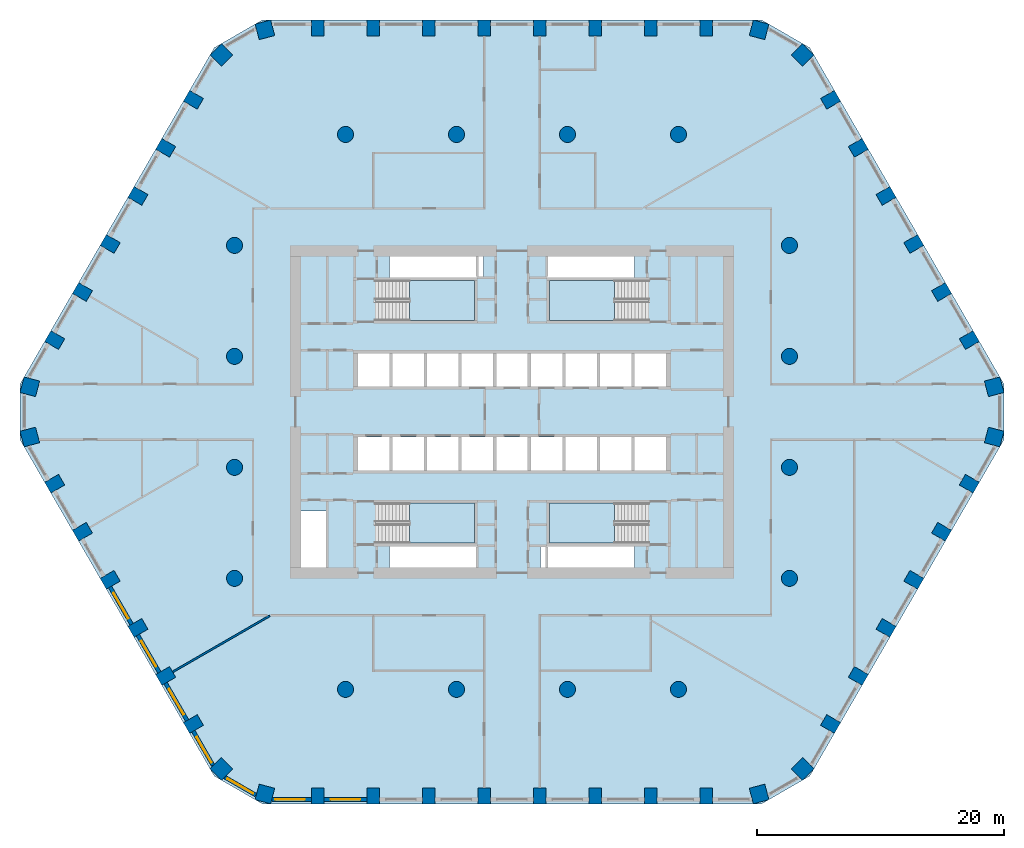
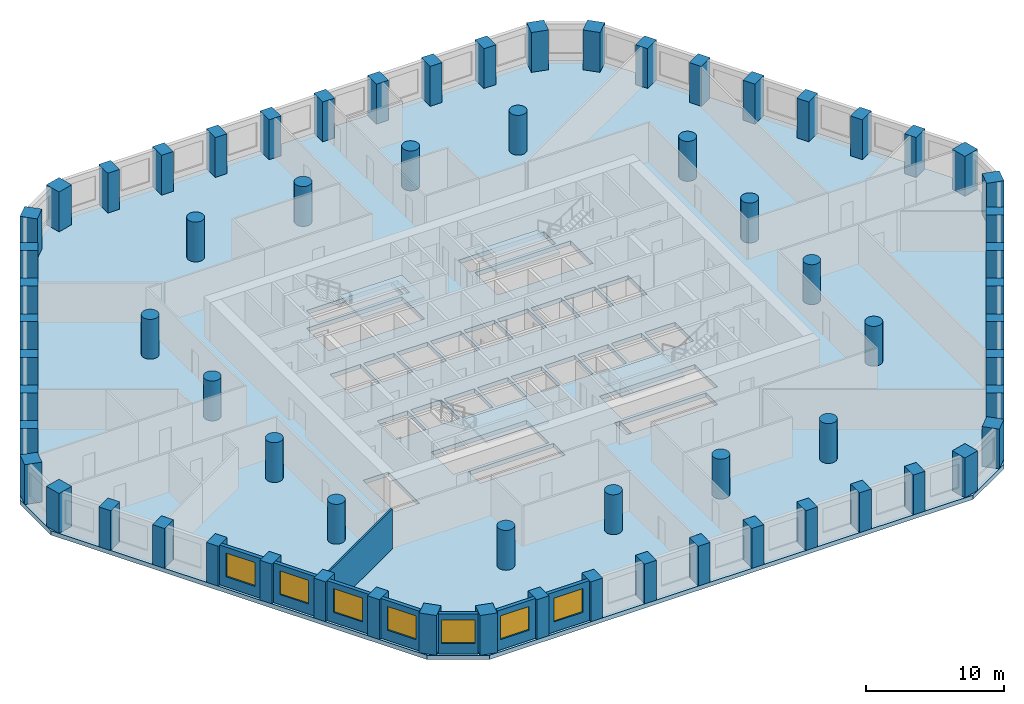
# One storey, part 1 of 10: 68 columns, 8 walls, 7 windows, 5 slabs, 7 openings, 4 elements without a shape of their own.
"""IFC4 building model written with IfcOpenShell, lengths in metres."""

from ifc_helpers import new_model, si_unit, direction, frame, frame_2d, origin, origin_2d, place, context, subcontext, project, spatial, polyline, rectangle, circle, outline, extrude, material, layer, layer_set, material_profile, profile_set, type_object, element, fill, aggregate, save


model = new_model("IFC4")

# Units and contexts
model_context = context("Model", 3, precision=1e-05, world=origin(), true_north=direction((0.0, 1.0)))
body_context = subcontext(model_context, "Body", "Model", "MODEL_VIEW")
ifc_project = project(units=[si_unit("LENGTHUNIT", "METRE"), si_unit("AREAUNIT", "SQUARE_METRE"), si_unit("VOLUMEUNIT", "CUBIC_METRE"), si_unit("PLANEANGLEUNIT", "RADIAN"), si_unit("MASSUNIT", "GRAM", prefix="KILO")], contexts=[model_context])

# Site, building, storey
site_placement = place(None, origin())
site = spatial("IfcSite", under=ifc_project, at=site_placement, CompositionType="ELEMENT")
building_placement = place(site_placement, origin())
building = spatial("IfcBuilding", under=site, at=building_placement, Name="Dhurran Vertical Campus", CompositionType="ELEMENT")
storey_placement = place(building_placement, frame((0.0, 0.0, 112.5)))
storey = spatial("IfcBuildingStorey", under=building, at=storey_placement, Name="L27", CompositionType="ELEMENT", Elevation=112.5)

# Columns
ifc_material_1 = material(Name="Concrete C60/75", Category="concrete")
ifc_material_profile_1 = material_profile(ifc_material_1, rectangle(XDim=1.0, YDim=1.300048828125, at=origin_2d()), Name="RC 1000x1300")
ifc_profile_set_1 = profile_set([ifc_material_profile_1], Name="Concrete C60/75")
column_type_1 = type_object("IfcColumnType", Name="FR COL RC 1000x1300 C60/75", PredefinedType="COLUMN", material=ifc_profile_set_1)
for number, where, z_axis, x_axis, name in (
    (1, (-15.75, -31.1298828125, 0.0), (0.0, 0.0, 1.0), (1.0, 0.0, 0.0), "Perimeter pier PP2.01"),
    (2, (-11.25, -31.1298828125, 0.0), (0.0, 0.0, 1.0), (1.0, 0.0, 0.0), "Perimeter pier PP2.02"),
    (3, (-6.75, -31.1298828125, 0.0), (0.0, 0.0, 1.0), (1.0, 0.0, 0.0), "Perimeter pier PP2.03"),
    (4, (-2.25, -31.1298828125, 0.0), (0.0, 0.0, 1.0), (1.0, 0.0, 0.0), "Perimeter pier PP2.04"),
    (5, (2.25, -31.1298828125, 0.0), (0.0, 0.0, 1.0), (1.0, 0.0, 0.0), "Perimeter pier PP2.05"),
    (6, (6.75, -31.1298828125, 0.0), (0.0, 0.0, 1.0), (1.0, 0.0, 0.0), "Perimeter pier PP2.06"),
    (7, (11.25, -31.1298828125, 0.0), (0.0, 0.0, 1.0), (1.0, 0.0, 0.0), "Perimeter pier PP2.07"),
    (8, (15.75, -31.1298828125, 0.0), (0.0, 0.0, 1.0), (1.0, 0.0, 0.0), "Perimeter pier PP2.08"),
    (9, (25.834228515625, -25.3076171875, 0.0), (0.0, 0.0, 1.0), (0.5, 0.866025403784, 0.0), "Perimeter pier PP2.11"),
    (10, (28.084228515625, -21.41064453125, 0.0), (0.0, 0.0, 1.0), (0.5, 0.866025403784, 0.0), "Perimeter pier PP2.12"),
    (11, (30.334228515625, -17.513427734375, 0.0), (0.0, 0.0, 1.0), (0.5, 0.866025403784, 0.0), "Perimeter pier PP2.13"),
    (12, (32.584228515625, -13.6162109375, 0.0), (0.0, 0.0, 1.0), (0.5, 0.866025403784, 0.0), "Perimeter pier PP2.14"),
    (13, (34.834228515625, -9.71923828125, 0.0), (0.0, 0.0, 1.0), (0.5, 0.866025403784, 0.0), "Perimeter pier PP2.15"),
    (14, (37.084228515625, -5.822021484375, 0.0), (0.0, 0.0, 1.0), (0.5, 0.866025403784, 0.0), "Perimeter pier PP2.16"),
    (15, (37.084228515625, 5.822021484375, 0.0), (0.0, 0.0, 1.0), (-0.5, 0.866025403784, 0.0), "Perimeter pier PP2.19"),
    (16, (34.834228515625, 9.71923828125, 0.0), (0.0, 0.0, 1.0), (-0.5, 0.866025403784, 0.0), "Perimeter pier PP2.20"),
    (17, (32.584228515625, 13.6162109375, 0.0), (0.0, 0.0, 1.0), (-0.5, 0.866025403784, 0.0), "Perimeter pier PP2.21"),
    (18, (30.334228515625, 17.513427734375, 0.0), (0.0, 0.0, 1.0), (-0.5, 0.866025403784, 0.0), "Perimeter pier PP2.22"),
    (19, (28.084228515625, 21.41064453125, 0.0), (0.0, 0.0, 1.0), (-0.5, 0.866025403784, 0.0), "Perimeter pier PP2.23"),
    (20, (25.834228515625, 25.3076171875, 0.0), (0.0, 0.0, 1.0), (-0.5, 0.866025403784, 0.0), "Perimeter pier PP2.24"),
    (21, (15.75, 31.1298828125, 0.0), (0.0, 0.0, 1.0), (-1.0, 0.0, 0.0), "Perimeter pier PP2.27"),
    (22, (11.25, 31.1298828125, 0.0), (0.0, 0.0, 1.0), (-1.0, 0.0, 0.0), "Perimeter pier PP2.28"),
    (23, (6.75, 31.1298828125, 0.0), (0.0, 0.0, 1.0), (-1.0, 0.0, 0.0), "Perimeter pier PP2.29"),
    (24, (2.25, 31.1298828125, 0.0), (0.0, 0.0, 1.0), (-1.0, 0.0, 0.0), "Perimeter pier PP2.30"),
    (25, (-2.25, 31.1298828125, 0.0), (0.0, 0.0, 1.0), (-1.0, 0.0, 0.0), "Perimeter pier PP2.31"),
    (26, (-6.75, 31.1298828125, 0.0), (0.0, 0.0, 1.0), (-1.0, 0.0, 0.0), "Perimeter pier PP2.32"),
    (27, (-11.25, 31.1298828125, 0.0), (0.0, 0.0, 1.0), (-1.0, 0.0, 0.0), "Perimeter pier PP2.33"),
    (28, (-15.75, 31.1298828125, 0.0), (0.0, 0.0, 1.0), (-1.0, 0.0, 0.0), "Perimeter pier PP2.34"),
    (29, (-25.834228515625, 25.3076171875, 0.0), (0.0, 0.0, 1.0), (-0.5, -0.866025403784, 0.0), "Perimeter pier PP2.37"),
    (30, (-28.084228515625, 21.41064453125, 0.0), (0.0, 0.0, 1.0), (-0.5, -0.866025403784, 0.0), "Perimeter pier PP2.38"),
    (31, (-30.334228515625, 17.513427734375, 0.0), (0.0, 0.0, 1.0), (-0.5, -0.866025403784, 0.0), "Perimeter pier PP2.39"),
    (32, (-32.584228515625, 13.6162109375, 0.0), (0.0, 0.0, 1.0), (-0.5, -0.866025403784, 0.0), "Perimeter pier PP2.40"),
    (33, (-34.834228515625, 9.71923828125, 0.0), (0.0, 0.0, 1.0), (-0.5, -0.866025403784, 0.0), "Perimeter pier PP2.41"),
    (34, (-37.084228515625, 5.822021484375, 0.0), (0.0, 0.0, 1.0), (-0.5, -0.866025403784, 0.0), "Perimeter pier PP2.42"),
    (35, (-37.084228515625, -5.822021484375, 0.0), (0.0, 0.0, 1.0), (0.5, -0.866025403784, 0.0), "Perimeter pier PP2.45"),
    (36, (-34.834228515625, -9.71923828125, 0.0), (0.0, 0.0, 1.0), (0.5, -0.866025403784, 0.0), "Perimeter pier PP2.46"),
    (37, (-32.584228515625, -13.6162109375, 0.0), (0.0, 0.0, 1.0), (0.5, -0.866025403784, 0.0), "Perimeter pier PP2.47"),
    (38, (-30.334228515625, -17.513427734375, 0.0), (0.0, 0.0, 1.0), (0.5, -0.866025403784, 0.0), "Perimeter pier PP2.48"),
    (39, (-28.084228515625, -21.41064453125, 0.0), (0.0, 0.0, 1.0), (0.5, -0.866025403784, 0.0), "Perimeter pier PP2.49"),
    (40, (-25.834228515625, -25.3076171875, 0.0), (0.0, 0.0, 1.0), (0.5, -0.866025403784, 0.0), "Perimeter pier PP2.50"),
):
    element("IfcColumn", number, at=place(storey_placement, frame(where, z_axis=z_axis, x_axis=x_axis)), inside=storey, type_object=column_type_1, Name=name, PredefinedType="COLUMN", context=body_context, shape_type="SweptSolid", body=[
        extrude(rectangle(XDim=1.0, YDim=1.300048828125, at=origin_2d()), origin(), (0.0, 0.0, 1.0), 3.52490234375),
    ])
ifc_material_2 = material(Name="Concrete C60/75", Category="concrete")
ifc_material_profile_2 = material_profile(ifc_material_2, rectangle(XDim=1.300048828125, YDim=1.300048828125, at=origin_2d()), Name="RC 1300x1300")
ifc_profile_set_2 = profile_set([ifc_material_profile_2], Name="Concrete C60/75")
column_type_2 = type_object("IfcColumnType", Name="FR COL RC 1300x1300 C60/75", PredefinedType="COLUMN", material=ifc_profile_set_2)
for number, where, z_axis, x_axis, name in (
    (41, (-20.03662109375, -30.983642578125, 0.0), (0.0, 0.0, 1.0), (0.965925826289, -0.258819045103, 0.0), "Perimeter pier PP2.00"),
    (42, (20.03662109375, -30.983642578125, 0.0), (0.0, 0.0, 1.0), (0.965925826289, 0.258819045103, 0.0), "Perimeter pier PP2.09"),
    (43, (23.564208984375, -28.947021484375, 0.0), (0.0, 0.0, 1.0), (0.707106781187, 0.707106781187, 0.0), "Perimeter pier PP2.10"),
    (44, (39.10107421875, -2.03662109375, 0.0), (0.0, 0.0, 1.0), (0.258819045103, 0.965925826289, 0.0), "Perimeter pier PP2.17"),
    (45, (39.10107421875, 2.03662109375, 0.0), (0.0, 0.0, 1.0), (-0.258819045103, 0.965925826289, 0.0), "Perimeter pier PP2.18"),
    (46, (23.564208984375, 28.947021484375, 0.0), (0.0, 0.0, 1.0), (-0.707106781187, 0.707106781187, 0.0), "Perimeter pier PP2.25"),
    (47, (20.03662109375, 30.983642578125, 0.0), (0.0, 0.0, 1.0), (-0.965925826289, 0.258819045103, 0.0), "Perimeter pier PP2.26"),
    (48, (-20.03662109375, 30.983642578125, 0.0), (0.0, 0.0, 1.0), (-0.965925826289, -0.258819045103, 0.0), "Perimeter pier PP2.35"),
    (49, (-23.564208984375, 28.947021484375, 0.0), (0.0, 0.0, 1.0), (-0.707106781187, -0.707106781187, 0.0), "Perimeter pier PP2.36"),
    (50, (-39.10107421875, 2.03662109375, 0.0), (0.0, 0.0, 1.0), (-0.258819045103, -0.965925826289, 0.0), "Perimeter pier PP2.43"),
    (51, (-39.10107421875, -2.03662109375, 0.0), (0.0, 0.0, 1.0), (0.258819045103, -0.965925826289, 0.0), "Perimeter pier PP2.44"),
    (52, (-23.564208984375, -28.947021484375, 0.0), (0.0, 0.0, 1.0), (0.707106781187, -0.707106781187, 0.0), "Perimeter pier PP2.51"),
):
    element("IfcColumn", number, at=place(storey_placement, frame(where, z_axis=z_axis, x_axis=x_axis)), inside=storey, type_object=column_type_2, Name=name, PredefinedType="COLUMN", context=body_context, shape_type="SweptSolid", body=[
        extrude(rectangle(XDim=1.300048828125, YDim=1.300048828125, at=origin_2d()), origin(), (0.0, 0.0, 1.0), 3.52490234375),
    ])
ifc_material_3 = material(Name="Concrete C60/75", Category="concrete")
ifc_material_profile_3 = material_profile(ifc_material_3, circle(Radius=0.64990234375, at=origin_2d()), Name="RCC D1300")
ifc_profile_set_3 = profile_set([ifc_material_profile_3], Name="Concrete C60/75")
column_type_3 = type_object("IfcColumnType", Name="FR COL RCC D1300 C60/75", PredefinedType="COLUMN", material=ifc_profile_set_3)
for number, where, z_axis, x_axis, name in (
    (53, (-22.5, -13.5, 0.0), (0.0, 0.0, 1.0), (1.0, 0.0, 0.0), "Inner column IC2-D4"),
    (54, (-22.5, -4.5, 0.0), (0.0, 0.0, 1.0), (1.0, 0.0, 0.0), "Inner column IC2-D5"),
    (55, (-22.5, 4.5, 0.0), (0.0, 0.0, 1.0), (1.0, 0.0, 0.0), "Inner column IC2-D6"),
    (56, (-22.5, 13.5, 0.0), (0.0, 0.0, 1.0), (1.0, 0.0, 0.0), "Inner column IC2-D7"),
    (57, (-13.5, -22.5, 0.0), (0.0, 0.0, 1.0), (1.0, 0.0, 0.0), "Inner column IC2-E3"),
    (58, (-13.5, 22.5, 0.0), (0.0, 0.0, 1.0), (1.0, 0.0, 0.0), "Inner column IC2-E8"),
    (59, (-4.5, -22.5, 0.0), (0.0, 0.0, 1.0), (1.0, 0.0, 0.0), "Inner column IC2-F3"),
    (60, (-4.5, 22.5, 0.0), (0.0, 0.0, 1.0), (1.0, 0.0, 0.0), "Inner column IC2-F8"),
    (61, (4.5, -22.5, 0.0), (0.0, 0.0, 1.0), (1.0, 0.0, 0.0), "Inner column IC2-G3"),
    (62, (4.5, 22.5, 0.0), (0.0, 0.0, 1.0), (1.0, 0.0, 0.0), "Inner column IC2-G8"),
    (63, (13.5, -22.5, 0.0), (0.0, 0.0, 1.0), (1.0, 0.0, 0.0), "Inner column IC2-H3"),
    (64, (13.5, 22.5, 0.0), (0.0, 0.0, 1.0), (1.0, 0.0, 0.0), "Inner column IC2-H8"),
    (65, (22.5, -13.5, 0.0), (0.0, 0.0, 1.0), (1.0, 0.0, 0.0), "Inner column IC2-J4"),
    (66, (22.5, -4.5, 0.0), (0.0, 0.0, 1.0), (1.0, 0.0, 0.0), "Inner column IC2-J5"),
    (67, (22.5, 4.5, 0.0), (0.0, 0.0, 1.0), (1.0, 0.0, 0.0), "Inner column IC2-J6"),
    (68, (22.5, 13.5, 0.0), (0.0, 0.0, 1.0), (1.0, 0.0, 0.0), "Inner column IC2-J7"),
):
    element("IfcColumn", number, at=place(storey_placement, frame(where, z_axis=z_axis, x_axis=x_axis)), inside=storey, type_object=column_type_3, Name=name, PredefinedType="COLUMN", context=body_context, shape_type="SweptSolid", body=[
        extrude(circle(Radius=0.64990234375, at=origin_2d()), origin(), (0.0, 0.0, 1.0), 3.52490234375),
    ])

# Slab
ifc_material_4 = material(Name="Concrete C40/50", Category="concrete")
ifc_layer_1 = layer(ifc_material_4, 0.375)
ifc_layer_set_1 = layer_set([ifc_layer_1], Name="Concrete C40/50")
slab_type_1 = type_object("IfcSlabType", Name="FR POST-TENSIONED FLAT SLAB 375", PredefinedType="FLOOR", material=ifc_layer_set_1)
slab_1_placement = place(storey_placement, frame((0.0, 0.0, -0.375)))
element("IfcSlab", 69, at=slab_1_placement, inside=storey, type_object=slab_type_1, Name="Floor slab L27", PredefinedType="FLOOR", context=body_context, shape_type="SweptSolid", body=[
    extrude(outline(polyline([(-20.25, -31.77978515625), (20.25, -31.77978515625), (24.147216796875, -29.52978515625), (39.897216796875, -2.25), (39.897216796875, 2.25), (24.147216796875, 29.52978515625), (20.25, 31.77978515625), (-20.25, 31.77978515625), (-24.147216796875, 29.52978515625), (-39.897216796875, 2.25), (-39.897216796875, -2.25), (-24.147216796875, -29.52978515625), (-20.25, -31.77978515625)]), holes=[polyline([(-12.47509765625, 2.050048828125), (-9.925048828125, 2.050048828125), (-9.925048828125, 4.75), (-12.47509765625, 4.75), (-12.47509765625, 2.050048828125)]), polyline([(-9.675048828125, 2.050048828125), (-7.125, 2.050048828125), (-7.125, 4.75), (-9.675048828125, 4.75), (-9.675048828125, 2.050048828125)]), polyline([(-6.875, 2.050048828125), (-4.324951171875, 2.050048828125), (-4.324951171875, 4.75), (-6.875, 4.75), (-6.875, 2.050048828125)]), polyline([(-1.27490234375, 2.050048828125), (1.27490234375, 2.050048828125), (1.27490234375, 4.75), (-1.27490234375, 4.75), (-1.27490234375, 2.050048828125)]), polyline([(9.925048828125, 2.050048828125), (12.47509765625, 2.050048828125), (12.47509765625, 4.75), (9.925048828125, 4.75), (9.925048828125, 2.050048828125)]), polyline([(-1.27490234375, -4.75), (1.27490234375, -4.75), (1.27490234375, -2.050048828125), (-1.27490234375, -2.050048828125), (-1.27490234375, -4.75)]), polyline([(1.52490234375, -4.75), (4.074951171875, -4.75), (4.074951171875, -2.050048828125), (1.52490234375, -2.050048828125), (1.52490234375, -4.75)]), polyline([(4.324951171875, -4.75), (6.875, -4.75), (6.875, -2.050048828125), (4.324951171875, -2.050048828125), (4.324951171875, -4.75)]), polyline([(7.125, -4.75), (9.675048828125, -4.75), (9.675048828125, -2.050048828125), (7.125, -2.050048828125), (7.125, -4.75)]), polyline([(9.925048828125, -4.75), (12.47509765625, -4.75), (12.47509765625, -2.050048828125), (9.925048828125, -2.050048828125), (9.925048828125, -4.75)]), polyline([(-4.074951171875, 2.050048828125), (-1.52490234375, 2.050048828125), (-1.52490234375, 4.75), (-4.074951171875, 4.75), (-4.074951171875, 2.050048828125)]), polyline([(1.52490234375, 2.050048828125), (4.074951171875, 2.050048828125), (4.074951171875, 4.75), (1.52490234375, 4.75), (1.52490234375, 2.050048828125)]), polyline([(4.324951171875, 2.050048828125), (6.875, 2.050048828125), (6.875, 4.75), (4.324951171875, 4.75), (4.324951171875, 2.050048828125)]), polyline([(7.125, 2.050048828125), (9.675048828125, 2.050048828125), (9.675048828125, 4.75), (7.125, 4.75), (7.125, 2.050048828125)]), polyline([(-12.47509765625, -4.75), (-9.925048828125, -4.75), (-9.925048828125, -2.050048828125), (-12.47509765625, -2.050048828125), (-12.47509765625, -4.75)]), polyline([(-9.675048828125, -4.75), (-7.125, -4.75), (-7.125, -2.050048828125), (-9.675048828125, -2.050048828125), (-9.675048828125, -4.75)]), polyline([(-6.875, -4.75), (-4.324951171875, -4.75), (-4.324951171875, -2.050048828125), (-6.875, -2.050048828125), (-6.875, -4.75)]), polyline([(-4.074951171875, -4.75), (-1.52490234375, -4.75), (-1.52490234375, -2.050048828125), (-4.074951171875, -2.050048828125), (-4.074951171875, -4.75)]), polyline([(-11.050048828125, 7.39990234375), (-3.050048828125, 7.39990234375), (-3.050048828125, 10.64990234375), (-11.050048828125, 10.64990234375), (-11.050048828125, 7.39990234375)]), polyline([(3.050048828125, 7.39990234375), (11.050048828125, 7.39990234375), (11.050048828125, 10.64990234375), (3.050048828125, 10.64990234375), (3.050048828125, 7.39990234375)]), polyline([(-11.050048828125, -10.64990234375), (-3.050048828125, -10.64990234375), (-3.050048828125, -7.39990234375), (-11.050048828125, -7.39990234375), (-11.050048828125, -10.64990234375)]), polyline([(3.050048828125, -10.64990234375), (11.050048828125, -10.64990234375), (11.050048828125, -7.39990234375), (3.050048828125, -7.39990234375), (3.050048828125, -10.64990234375)]), polyline([(-9.949951171875, 10.89990234375), (-9.949951171875, 12.60009765625), (-2.800048828125, 12.60009765625), (-2.800048828125, 10.89990234375), (-9.949951171875, 10.89990234375)]), polyline([(9.949951171875, 12.60009765625), (9.949951171875, 10.89990234375), (2.800048828125, 10.89990234375), (2.800048828125, 12.60009765625), (9.949951171875, 12.60009765625)]), polyline([(-9.949951171875, -12.60009765625), (-9.949951171875, -10.89990234375), (-2.800048828125, -10.89990234375), (-2.800048828125, -12.60009765625), (-9.949951171875, -12.60009765625)]), polyline([(9.949951171875, -10.89990234375), (9.949951171875, -12.60009765625), (2.800048828125, -12.60009765625), (2.800048828125, -10.89990234375), (9.949951171875, -10.89990234375)]), polyline([(-17.10009765625, -8.050048828125), (-15.0, -8.050048828125), (-15.0, -12.60009765625), (-17.10009765625, -12.60009765625), (-17.10009765625, -8.050048828125)]), polyline([(-2.300048828125, 12.60009765625), (-2.300048828125, 10.867431640625), (-2.75, 10.867431640625), (-2.75, 12.60009765625), (-2.300048828125, 12.60009765625)]), polyline([(2.300048828125, -12.60009765625), (2.300048828125, -10.867431640625), (2.75, -10.867431640625), (2.75, -12.60009765625), (2.300048828125, -12.60009765625)])]), origin(), (0.0, 0.0, 1.0), 0.375),
])

# Stair, slab
ifc_material_5 = material(Name="Concrete C40/50", Category="concrete")
stair_type = type_object("IfcStairType", Name="co-ST-CORE", PredefinedType="HALF_TURN_STAIR", material=ifc_material_5)
stair_1_placement = place(storey_placement, origin())
stair_1 = element("IfcStair", 70, at=stair_1_placement, inside=storey, type_object=stair_type, Name="L27 Protected exit stair ST1", PredefinedType="HALF_TURN_STAIR")
ifc_material_6 = material(Name="Concrete C40/50", Category="concrete")
ifc_layer_2 = layer(ifc_material_6, 0.199951171875)
ifc_layer_set_2 = layer_set([ifc_layer_2], Name="Concrete C40/50")
slab_type_2 = type_object("IfcSlabType", Name="co-SL-LANDING", PredefinedType="LANDING", material=ifc_layer_set_2)
slab_2_placement = place(storey_placement, frame((0.0, 0.0, 1.75)))
slab_2 = element("IfcSlab", 71, at=slab_2_placement, type_object=slab_type_2, Name="ST1 landing 1", PredefinedType="LANDING", context=body_context, shape_type="SweptSolid", body=[
    extrude(outline(polyline([(-8.300048828125, 7.39990234375), (-3.050048828125, 7.39990234375), (-3.050048828125, 10.64990234375), (-8.300048828125, 10.64990234375), (-8.300048828125, 7.39990234375)])), origin(), (0.0, 0.0, 1.0), 0.199951171875),
])
aggregate(stair_1, [slab_2])

stair_2_placement = place(storey_placement, origin())
stair_2 = element("IfcStair", 72, at=stair_2_placement, inside=storey, type_object=stair_type, Name="L27 Protected exit stair ST2", PredefinedType="HALF_TURN_STAIR")
slab_3_placement = place(storey_placement, frame((0.0, 0.0, 1.75)))
slab_3 = element("IfcSlab", 73, at=slab_3_placement, type_object=slab_type_2, Name="ST2 landing 1", PredefinedType="LANDING", context=body_context, shape_type="SweptSolid", body=[
    extrude(outline(polyline([(8.300048828125, 10.64990234375), (3.050048828125, 10.64990234375), (3.050048828125, 7.39990234375), (8.300048828125, 7.39990234375), (8.300048828125, 10.64990234375)])), origin(), (0.0, 0.0, 1.0), 0.199951171875),
])
aggregate(stair_2, [slab_3])

stair_3_placement = place(storey_placement, origin())
stair_3 = element("IfcStair", 74, at=stair_3_placement, inside=storey, type_object=stair_type, Name="L27 Protected exit stair ST3", PredefinedType="HALF_TURN_STAIR")
slab_4_placement = place(storey_placement, frame((0.0, 0.0, 1.75)))
slab_4 = element("IfcSlab", 75, at=slab_4_placement, type_object=slab_type_2, Name="ST3 landing 1", PredefinedType="LANDING", context=body_context, shape_type="SweptSolid", body=[
    extrude(outline(polyline([(-8.300048828125, -10.64990234375), (-3.050048828125, -10.64990234375), (-3.050048828125, -7.39990234375), (-8.300048828125, -7.39990234375), (-8.300048828125, -10.64990234375)])), origin(), (0.0, 0.0, 1.0), 0.199951171875),
])
aggregate(stair_3, [slab_4])

stair_4_placement = place(storey_placement, origin())
stair_4 = element("IfcStair", 76, at=stair_4_placement, inside=storey, type_object=stair_type, Name="L27 Protected exit stair ST4", PredefinedType="HALF_TURN_STAIR")
slab_5_placement = place(storey_placement, frame((0.0, 0.0, 1.75)))
slab_5 = element("IfcSlab", 77, at=slab_5_placement, type_object=slab_type_2, Name="ST4 landing 1", PredefinedType="LANDING", context=body_context, shape_type="SweptSolid", body=[
    extrude(outline(polyline([(8.300048828125, -7.39990234375), (3.050048828125, -7.39990234375), (3.050048828125, -10.64990234375), (8.300048828125, -10.64990234375), (8.300048828125, -7.39990234375)])), origin(), (0.0, 0.0, 1.0), 0.199951171875),
])
aggregate(stair_4, [slab_5])

# Wall, opening, window
ifc_material_7 = material(Name="Precast concrete C50/60", Category="concrete")
ifc_layer_3 = layer(ifc_material_7, 0.300048828125)
ifc_layer_set_3 = layer_set([ifc_layer_3], Name="Precast concrete C50/60")
wall_type_1 = type_object("IfcWallType", Name="Precast spandrel wall 300", PredefinedType="SOLIDWALL", material=ifc_layer_set_3)
wall_1_placement = place(storey_placement, frame((-19.44287109375, -31.4296875, 0.0), z_axis=(0.0, 0.0, 1.0), x_axis=(1.0, 0.0, 0.0)))
wall_1 = element("IfcWall", 78, at=wall_1_placement, inside=storey, type_object=wall_type_1, Name="EW1 L27.00", PredefinedType="SOLIDWALL", context=body_context, shape_type="SweptSolid", body=[
    extrude(rectangle(XDim=3.1923828125, YDim=0.300048828125, at=frame_2d((1.59619140625, 0.0))), origin(), (0.0, 0.0, 1.0), 3.52490234375),
])
opening_1_placement = place(wall_1_placement, frame((0.242919921875, 0.0, 0.89990234375)))
opening_1 = element("IfcOpeningElement", 79, at=opening_1_placement, cuts=wall_1, Name="Opening WT1", PredefinedType="OPENING", context=body_context, shape_type="SweptSolid", body=[
    extrude(rectangle(XDim=2.39990234375, YDim=2.10009765625, at=frame_2d((1.199951171875, 1.050048828125))), frame((0.0, 0.159912109375, 0.0), z_axis=(0.0, -1.0, 0.0), x_axis=(1.0, 0.0, 0.0)), (0.0, 0.0, 1.0), 0.320068359375),
])
ifc_material_8 = material(Name="Aluminium frame with solar-control glass", Category="aluminium")
window_type = type_object("IfcWindowType", Name="Punched window 2400 x 2100", PartitioningType="SINGLE_PANEL", PredefinedType="WINDOW", material=ifc_material_8)
window_1_placement = place(opening_1_placement, origin())
window_1 = element("IfcWindow", 80, at=window_1_placement, inside=storey, type_object=window_type, Name="WT1 L27.00", OverallHeight=2.10009765625, OverallWidth=2.39990234375, PartitioningType="SINGLE_PANEL", PredefinedType="WINDOW", context=body_context, shape_type="SweptSolid", body=[
    extrude(rectangle(XDim=2.39990234375, YDim=2.10009765625, at=frame_2d((1.199951171875, 1.050048828125))), frame((0.0, 0.030029296875, 0.0), z_axis=(0.0, -1.0, 0.0), x_axis=(1.0, 0.0, 0.0)), (0.0, 0.0, 1.0), 0.06005859375),
])
fill(opening_1, window_1)

wall_2_placement = place(storey_placement, frame((-15.24951171875, -31.4296875, 0.0), z_axis=(0.0, 0.0, 1.0), x_axis=(1.0, 0.0, 0.0)))
wall_2 = element("IfcWall", 81, at=wall_2_placement, inside=storey, type_object=wall_type_1, Name="EW1 L27.01", PredefinedType="SOLIDWALL", context=body_context, shape_type="SweptSolid", body=[
    extrude(rectangle(XDim=3.4990234375, YDim=0.300048828125, at=frame_2d((1.74951171875, 0.0))), origin(), (0.0, 0.0, 1.0), 3.52490234375),
])
opening_2_placement = place(wall_2_placement, frame((0.549560546875, 0.0, 0.89990234375)))
opening_2 = element("IfcOpeningElement", 82, at=opening_2_placement, cuts=wall_2, Name="Opening WT1", PredefinedType="OPENING", context=body_context, shape_type="SweptSolid", body=[
    extrude(rectangle(XDim=2.39990234375, YDim=2.10009765625, at=frame_2d((1.199951171875, 1.050048828125))), frame((0.0, 0.159912109375, 0.0), z_axis=(0.0, -1.0, 0.0), x_axis=(1.0, 0.0, 0.0)), (0.0, 0.0, 1.0), 0.320068359375),
])
window_2_placement = place(opening_2_placement, origin())
window_2 = element("IfcWindow", 83, at=window_2_placement, inside=storey, type_object=window_type, Name="WT1 L27.01", OverallHeight=2.10009765625, OverallWidth=2.39990234375, PartitioningType="SINGLE_PANEL", PredefinedType="WINDOW", context=body_context, shape_type="SweptSolid", body=[
    extrude(rectangle(XDim=2.39990234375, YDim=2.10009765625, at=frame_2d((1.199951171875, 1.050048828125))), frame((0.0, 0.030029296875, 0.0), z_axis=(0.0, -1.0, 0.0), x_axis=(1.0, 0.0, 0.0)), (0.0, 0.0, 1.0), 0.06005859375),
])
fill(opening_2, window_2)

wall_3_placement = place(storey_placement, frame((-32.59375, -14.19970703125, 0.0), z_axis=(0.0, 0.0, 1.0), x_axis=(0.499996256241, -0.866027565234, 0.0)))
wall_3 = element("IfcWall", 84, at=wall_3_placement, inside=storey, type_object=wall_type_1, Name="EW1 L27.47", PredefinedType="SOLIDWALL", context=body_context, shape_type="SweptSolid", body=[
    extrude(rectangle(XDim=3.4990234375, YDim=0.300048828125, at=frame_2d((1.74951171875, 0.0))), origin(), (0.0, 0.0, 1.0), 3.52490234375),
])
opening_3_placement = place(wall_3_placement, frame((0.549560546875, 0.0, 0.89990234375)))
opening_3 = element("IfcOpeningElement", 85, at=opening_3_placement, cuts=wall_3, Name="Opening WT1", PredefinedType="OPENING", context=body_context, shape_type="SweptSolid", body=[
    extrude(rectangle(XDim=2.39990234375, YDim=2.10009765625, at=frame_2d((1.199951171875, 1.050048828125))), frame((0.0, 0.159912109375, 0.0), z_axis=(0.0, -1.0, 0.0), x_axis=(1.0, 0.0, 0.0)), (0.0, 0.0, 1.0), 0.320068359375),
])
window_3_placement = place(opening_3_placement, origin())
window_3 = element("IfcWindow", 86, at=window_3_placement, inside=storey, type_object=window_type, Name="WT1 L27.47", OverallHeight=2.10009765625, OverallWidth=2.39990234375, PartitioningType="SINGLE_PANEL", PredefinedType="WINDOW", context=body_context, shape_type="SweptSolid", body=[
    extrude(rectangle(XDim=2.39990234375, YDim=2.10009765625, at=frame_2d((1.199951171875, 1.050048828125))), frame((0.0, 0.030029296875, 0.0), z_axis=(0.0, -1.0, 0.0), x_axis=(1.0, 0.0, 0.0)), (0.0, 0.0, 1.0), 0.06005859375),
])
fill(opening_3, window_3)

wall_4_placement = place(storey_placement, frame((-30.34375, -18.096923828125, 0.0), z_axis=(0.0, 0.0, 1.0), x_axis=(0.499996256241, -0.866027565234, 0.0)))
wall_4 = element("IfcWall", 87, at=wall_4_placement, inside=storey, type_object=wall_type_1, Name="EW1 L27.48", PredefinedType="SOLIDWALL", context=body_context, shape_type="SweptSolid", body=[
    extrude(rectangle(XDim=3.4990234375, YDim=0.300048828125, at=frame_2d((1.74951171875, 0.0))), origin(), (0.0, 0.0, 1.0), 3.52490234375),
])
opening_4_placement = place(wall_4_placement, frame((0.549560546875, 0.0, 0.89990234375)))
opening_4 = element("IfcOpeningElement", 88, at=opening_4_placement, cuts=wall_4, Name="Opening WT1", PredefinedType="OPENING", context=body_context, shape_type="SweptSolid", body=[
    extrude(rectangle(XDim=2.39990234375, YDim=2.10009765625, at=frame_2d((1.199951171875, 1.050048828125))), frame((0.0, 0.159912109375, 0.0), z_axis=(0.0, -1.0, 0.0), x_axis=(1.0, 0.0, 0.0)), (0.0, 0.0, 1.0), 0.320068359375),
])
window_4_placement = place(opening_4_placement, origin())
window_4 = element("IfcWindow", 89, at=window_4_placement, inside=storey, type_object=window_type, Name="WT1 L27.48", OverallHeight=2.10009765625, OverallWidth=2.39990234375, PartitioningType="SINGLE_PANEL", PredefinedType="WINDOW", context=body_context, shape_type="SweptSolid", body=[
    extrude(rectangle(XDim=2.39990234375, YDim=2.10009765625, at=frame_2d((1.199951171875, 1.050048828125))), frame((0.0, 0.030029296875, 0.0), z_axis=(0.0, -1.0, 0.0), x_axis=(1.0, 0.0, 0.0)), (0.0, 0.0, 1.0), 0.06005859375),
])
fill(opening_4, window_4)

wall_5_placement = place(storey_placement, frame((-28.09375, -21.993896484375, 0.0), z_axis=(0.0, 0.0, 1.0), x_axis=(0.499996256241, -0.866027565234, 0.0)))
wall_5 = element("IfcWall", 90, at=wall_5_placement, inside=storey, type_object=wall_type_1, Name="EW1 L27.49", PredefinedType="SOLIDWALL", context=body_context, shape_type="SweptSolid", body=[
    extrude(rectangle(XDim=3.4990234375, YDim=0.300048828125, at=frame_2d((1.74951171875, 0.0))), origin(), (0.0, 0.0, 1.0), 3.52490234375),
])
opening_5_placement = place(wall_5_placement, frame((0.549560546875, 0.0, 0.89990234375)))
opening_5 = element("IfcOpeningElement", 91, at=opening_5_placement, cuts=wall_5, Name="Opening WT1", PredefinedType="OPENING", context=body_context, shape_type="SweptSolid", body=[
    extrude(rectangle(XDim=2.39990234375, YDim=2.10009765625, at=frame_2d((1.199951171875, 1.050048828125))), frame((0.0, 0.159912109375, 0.0), z_axis=(0.0, -1.0, 0.0), x_axis=(1.0, 0.0, 0.0)), (0.0, 0.0, 1.0), 0.320068359375),
])
window_5_placement = place(opening_5_placement, origin())
window_5 = element("IfcWindow", 92, at=window_5_placement, inside=storey, type_object=window_type, Name="WT1 L27.49", OverallHeight=2.10009765625, OverallWidth=2.39990234375, PartitioningType="SINGLE_PANEL", PredefinedType="WINDOW", context=body_context, shape_type="SweptSolid", body=[
    extrude(rectangle(XDim=2.39990234375, YDim=2.10009765625, at=frame_2d((1.199951171875, 1.050048828125))), frame((0.0, 0.030029296875, 0.0), z_axis=(0.0, -1.0, 0.0), x_axis=(1.0, 0.0, 0.0)), (0.0, 0.0, 1.0), 0.06005859375),
])
fill(opening_5, window_5)

wall_6_placement = place(storey_placement, frame((-25.84375, -25.89111328125, 0.0), z_axis=(0.0, 0.0, 1.0), x_axis=(0.500004907028, -0.866022570692, 0.0)))
wall_6 = element("IfcWall", 93, at=wall_6_placement, inside=storey, type_object=wall_type_1, Name="EW1 L27.50", PredefinedType="SOLIDWALL", context=body_context, shape_type="SweptSolid", body=[
    extrude(rectangle(XDim=3.1923828125, YDim=0.300048828125, at=frame_2d((1.59619140625, 0.0))), origin(), (0.0, 0.0, 1.0), 3.52490234375),
])
opening_6_placement = place(wall_6_placement, frame((0.549560546875, 0.0, 0.89990234375)))
opening_6 = element("IfcOpeningElement", 94, at=opening_6_placement, cuts=wall_6, Name="Opening WT1", PredefinedType="OPENING", context=body_context, shape_type="SweptSolid", body=[
    extrude(rectangle(XDim=2.39990234375, YDim=2.10009765625, at=frame_2d((1.199951171875, 1.050048828125))), frame((0.0, 0.159912109375, 0.0), z_axis=(0.0, -1.0, 0.0), x_axis=(1.0, 0.0, 0.0)), (0.0, 0.0, 1.0), 0.320068359375),
])
window_6_placement = place(opening_6_placement, origin())
window_6 = element("IfcWindow", 95, at=window_6_placement, inside=storey, type_object=window_type, Name="WT1 L27.50", OverallHeight=2.10009765625, OverallWidth=2.39990234375, PartitioningType="SINGLE_PANEL", PredefinedType="WINDOW", context=body_context, shape_type="SweptSolid", body=[
    extrude(rectangle(XDim=2.39990234375, YDim=2.10009765625, at=frame_2d((1.199951171875, 1.050048828125))), frame((0.0, 0.030029296875, 0.0), z_axis=(0.0, -1.0, 0.0), x_axis=(1.0, 0.0, 0.0)), (0.0, 0.0, 1.0), 0.06005859375),
])
fill(opening_6, window_6)

wall_7_placement = place(storey_placement, frame((-23.273193359375, -29.63037109375, 0.0), z_axis=(0.0, 0.0, 1.0), x_axis=(0.866053149362, -0.49995194017, 0.0)))
wall_7 = element("IfcWall", 96, at=wall_7_placement, inside=storey, type_object=wall_type_1, Name="EW1 L27.51", PredefinedType="SOLIDWALL", context=body_context, shape_type="SweptSolid", body=[
    extrude(rectangle(XDim=2.885498046875, YDim=0.300048828125, at=frame_2d((1.44287109375, 0.0))), origin(), (0.0, 0.0, 1.0), 3.52490234375),
])
opening_7_placement = place(wall_7_placement, frame((0.242919921875, 0.0, 0.89990234375)))
opening_7 = element("IfcOpeningElement", 97, at=opening_7_placement, cuts=wall_7, Name="Opening WT1", PredefinedType="OPENING", context=body_context, shape_type="SweptSolid", body=[
    extrude(rectangle(XDim=2.39990234375, YDim=2.10009765625, at=frame_2d((1.199951171875, 1.050048828125))), frame((0.0, 0.159912109375, 0.0), z_axis=(0.0, -1.0, 0.0), x_axis=(1.0, 0.0, 0.0)), (0.0, 0.0, 1.0), 0.320068359375),
])
window_7_placement = place(opening_7_placement, origin())
window_7 = element("IfcWindow", 98, at=window_7_placement, inside=storey, type_object=window_type, Name="WT1 L27.51", OverallHeight=2.10009765625, OverallWidth=2.39990234375, PartitioningType="SINGLE_PANEL", PredefinedType="WINDOW", context=body_context, shape_type="SweptSolid", body=[
    extrude(rectangle(XDim=2.39990234375, YDim=2.10009765625, at=frame_2d((1.199951171875, 1.050048828125))), frame((0.0, 0.030029296875, 0.0), z_axis=(0.0, -1.0, 0.0), x_axis=(1.0, 0.0, 0.0)), (0.0, 0.0, 1.0), 0.06005859375),
])
fill(opening_7, window_7)

# Wall
ifc_material_9 = material(Name="Gypsum board partition on steel studs", Category="steel")
ifc_layer_4 = layer(ifc_material_9, 0.14990234375)
ifc_layer_set_4 = layer_set([ifc_layer_4], Name="Gypsum board partition on steel studs")
wall_type_2 = type_object("IfcWallType", Name="fl-PW-150 fixed partition", PredefinedType="PARTITIONING", material=ifc_layer_set_4)
wall_8_placement = place(storey_placement, frame((-19.643798828125, -16.53759765625, 0.0), z_axis=(0.0, 0.0, 1.0), x_axis=(-0.866004606565, -0.500036020111, 0.0)))
element("IfcWall", 99, at=wall_8_placement, inside=storey, type_object=wall_type_2, Name="Partition 27-11", PredefinedType="PARTITIONING", context=body_context, shape_type="SweptSolid", body=[
    extrude(rectangle(XDim=9.075927734375, YDim=0.14990234375, at=frame_2d((4.5380859375, 0.0))), origin(), (0.0, 0.0, 1.0), 3.52490234375),
])

save(model, "model.ifc")
